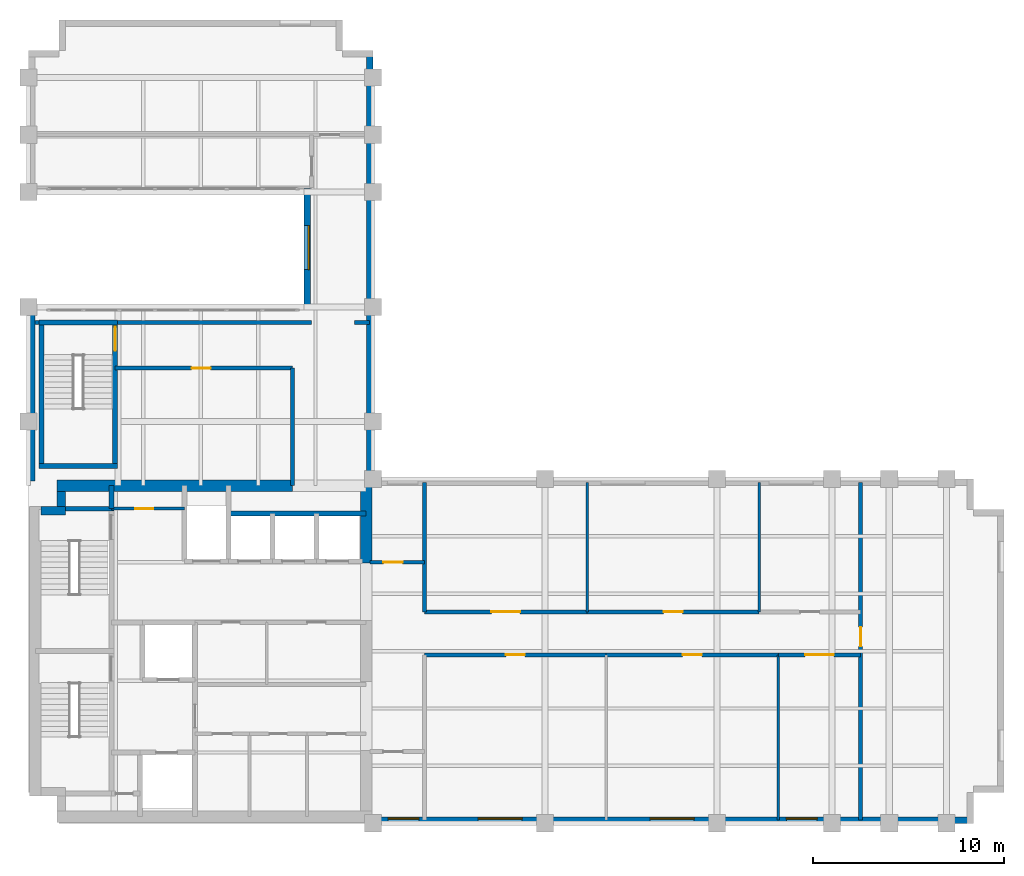
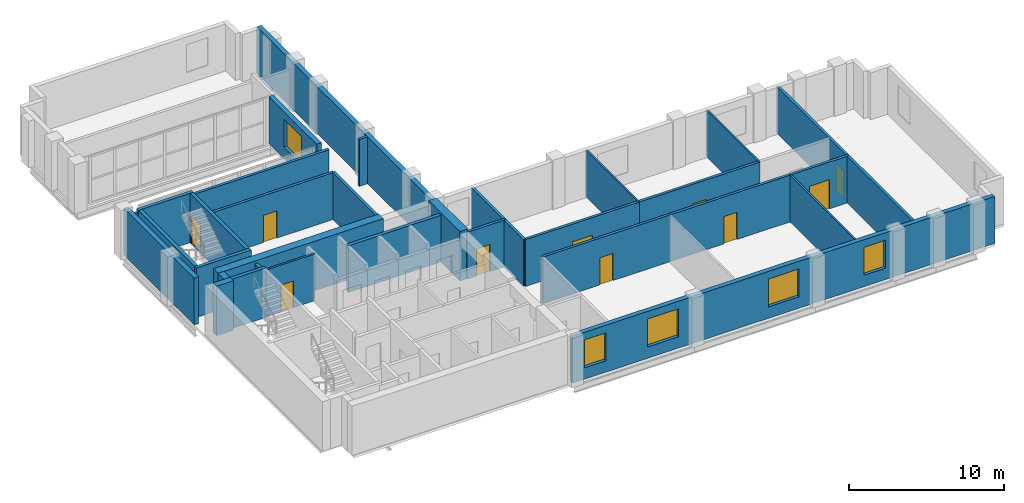
# One storey, part 7 of 9: 32 walls, 10 doors, 5 windows, 15 openings.
"""IFC4 building model written with IfcOpenShell, lengths in metres."""

import ifcopenshell
import ifcopenshell.guid

model = None  # the IFC model being written
_history = None  # IfcOwnerHistory: only IFC2X3 demands one
_inside = {}  # id of a spatial element -> (the spatial element, [elements in it])
_under = {}  # id of a project, library or spatial element -> (it, [spatial elements below it])
_declared = {}  # id of a project -> (the project, [libraries it declares])
_typed = {}  # id of a type object -> (the type object, [elements of that type])
_made_of = {}  # id of a material, layer set ... -> (it, [elements and type objects made of it])


def new_model(schema):
    """Start an empty IFC model of exactly this schema.

    Asked for "IFC4X3", IfcOpenShell would pick the latest addendum, in which some entities
    have other attributes; the version numbers below select the first issue.
    IFC2X3 requires an IfcOwnerHistory on every rooted entity: one is made here for all.
    """
    global model, _history
    if schema == "IFC4X3":
        model = ifcopenshell.file(schema_version=(4, 3, 0, 0))
    else:
        model = ifcopenshell.file(schema=schema)
    _inside.clear()
    _under.clear()
    _declared.clear()
    _typed.clear()
    _made_of.clear()
    _history = None
    if model.schema == "IFC2X3":
        org = make("IfcOrganization", Name="unknown")
        user = make(
            "IfcPersonAndOrganization",
            ThePerson=make("IfcPerson", FamilyName="unknown"),
            TheOrganization=org,
        )
        app = make(
            "IfcApplication",
            ApplicationDeveloper=org,
            Version="unknown",
            ApplicationFullName="unknown",
            ApplicationIdentifier="unknown",
        )
        _history = make(
            "IfcOwnerHistory",
            OwningUser=user,
            OwningApplication=app,
            ChangeAction="ADDED",
            CreationDate=0,
        )
    return model


def make(cls, **values):
    """One entity of the class cls with the attributes given. An attribute that is None is left unset."""
    return model.create_entity(
        cls, **{name: value for name, value in values.items() if value is not None}
    )


def rooted(cls, **values):
    """An entity with a GlobalId (a new one), such as an element, a storey or a relation."""
    return make(cls, GlobalId=ifcopenshell.guid.new(), OwnerHistory=_history, **values)


def si_unit(unit_type, name, prefix=None):
    """IfcSIUnit, for example si_unit("LENGTHUNIT", "METRE", prefix="MILLI")."""
    return make("IfcSIUnit", UnitType=unit_type, Prefix=prefix, Name=name)


def assignment(units):
    """IfcUnitAssignment: the units of a project."""
    return None if units is None else make("IfcUnitAssignment", Units=units)


def point(xyz):
    """IfcCartesianPoint."""
    return None if xyz is None else make("IfcCartesianPoint", Coordinates=xyz)


def direction(xyz):
    """IfcDirection."""
    return None if xyz is None else make("IfcDirection", DirectionRatios=xyz)


def frame(location, z_axis=None, x_axis=None):
    """IfcAxis2Placement3D, a coordinate frame: its origin and axes. An axis left out is left unset."""
    return make(
        "IfcAxis2Placement3D",
        Location=point(location),
        Axis=direction(z_axis),
        RefDirection=direction(x_axis),
    )


def frame_2d(location, x_axis=None):
    """IfcAxis2Placement2D, a coordinate frame in the plane: its origin and x axis."""
    return make(
        "IfcAxis2Placement2D", Location=point(location), RefDirection=direction(x_axis)
    )


def origin():
    """The frame at (0, 0, 0) with its axes left unset."""
    return frame((0.0, 0.0, 0.0))


def place(relative_to, where):
    """IfcLocalPlacement: puts the frame where relative to a parent placement (None: the world)."""
    return make(
        "IfcLocalPlacement", PlacementRelTo=relative_to, RelativePlacement=where
    )


def context(
    kind, dimensions, precision=None, world=None, true_north=None, identifier=None
):
    """IfcGeometricRepresentationContext, for example the 3D "Model" context."""
    return make(
        "IfcGeometricRepresentationContext",
        ContextIdentifier=identifier,
        ContextType=kind,
        CoordinateSpaceDimension=dimensions,
        Precision=precision,
        WorldCoordinateSystem=world,
        TrueNorth=true_north,
    )


def subcontext(parent, identifier, kind, view, scale=None):
    """IfcGeometricRepresentationSubContext, for example "Body" below "Model"."""
    return make(
        "IfcGeometricRepresentationSubContext",
        ContextIdentifier=identifier,
        ContextType=kind,
        ParentContext=parent,
        TargetScale=scale,
        TargetView=view,
    )


def project(units=None, contexts=None):
    """IfcProject with its units and contexts."""
    return rooted(
        "IfcProject",
        Name="project",
        RepresentationContexts=contexts,
        UnitsInContext=assignment(units),
    )


def spatial(cls, under=None, at=None, **own):
    """A site, building, storey or space (cls), placed at a placement, below another one or the project."""
    s = rooted(cls, ObjectPlacement=at, **own)
    if under is not None:
        _under.setdefault(under.id(), (under, []))[1].append(s)
    return s


def profile(cls, at=None, kind="AREA", **sizes):
    """A parametric profile (cls). Its sizes go by their IFC names, for example OverallWidth=200.0."""
    return make(cls, ProfileType=kind, Position=at, **sizes)


def rectangle(**sizes):
    """IfcRectangleProfileDef."""
    return profile("IfcRectangleProfileDef", **sizes)


def extrude(swept, where, along, depth):
    """IfcExtrudedAreaSolid: the profile swept, set in the frame where, extruded along a direction by depth."""
    return make(
        "IfcExtrudedAreaSolid",
        SweptArea=swept,
        Position=where,
        ExtrudedDirection=direction(along),
        Depth=depth,
    )


def shape(context_of_items, identifier, shape_type, items):
    """IfcShapeRepresentation: the items that make up one representation, for example the "Body"."""
    return make(
        "IfcShapeRepresentation",
        ContextOfItems=context_of_items,
        RepresentationIdentifier=identifier,
        RepresentationType=shape_type,
        Items=items,
    )


def material(Name=None, Category=None):
    """IfcMaterial."""
    return make("IfcMaterial", Name=Name, Category=Category)


def layer(
    of_material, thickness, ventilated=None, Name=None, Category=None, Priority=None
):
    """IfcMaterialLayer: one layer of a wall or slab, of a material (None: an air gap)."""
    return make(
        "IfcMaterialLayer",
        Material=of_material,
        LayerThickness=thickness,
        IsVentilated=ventilated,
        Name=Name,
        Category=Category,
        Priority=Priority,
    )


def layer_set(layers, Name=None):
    """IfcMaterialLayerSet."""
    return make("IfcMaterialLayerSet", MaterialLayers=layers, LayerSetName=Name)


def made_of(thing, what):
    """Note that an element or type object is made of a material, layer set ...; save() writes the relation."""
    if what is not None:
        _made_of.setdefault(what.id(), (what, []))[1].append(thing)
    return thing


def type_object(cls, material=None, **own):
    """A type object (cls), such as IfcWallType, which elements share."""
    return made_of(rooted(cls, **own), material)


def element(
    cls,
    number,
    at=None,
    inside=None,
    cuts=None,
    type_object=None,
    material=None,
    context=None,
    identifier="Body",
    shape_type=None,
    held_by="IfcProductDefinitionShape",
    body=None,
    shapes=None,
    **own,
):
    """One element of the class cls, such as IfcWall. Its Tag is "e" and its number.

    at: its placement. inside: the storey or other place that contains it. cuts: it is an
    opening in that element (IfcRelVoidsElement). A single representation is given by context,
    identifier, shape_type and body (its items); several are given by shapes. held_by: the class
    of the entity that holds the representations. save() writes the other relations.
    """
    e = rooted(cls, Tag="e%d" % number, ObjectPlacement=at, **own)
    if body is not None:
        shapes = [shape(context, identifier, shape_type, body)]
    if shapes is not None:
        e.Representation = make(held_by, Representations=shapes)
    if inside is not None:
        _inside.setdefault(inside.id(), (inside, []))[1].append(e)
    if cuts is not None:
        rooted(
            "IfcRelVoidsElement", RelatingBuildingElement=cuts, RelatedOpeningElement=e
        )
    if type_object is not None:
        _typed.setdefault(type_object.id(), (type_object, []))[1].append(e)
    return made_of(e, material)


def fill(opening, filler):
    """IfcRelFillsElement: the door or window that sits in an opening."""
    return rooted(
        "IfcRelFillsElement",
        RelatingOpeningElement=opening,
        RelatedBuildingElement=filler,
    )


def aggregate(whole, parts):
    """IfcRelAggregates: a whole, such as a stair, and the parts it consists of."""
    return rooted("IfcRelAggregates", RelatingObject=whole, RelatedObjects=parts)


def save(model, path):
    """Write the relations noted so far, then the file.

    IfcRelAggregates (storeys below a building ...), IfcRelContainedInSpatialStructure (elements
    in a storey), IfcRelDefinesByType, IfcRelAssociatesMaterial and IfcRelDeclares: one each for
    every whole, place, type object, material and project.
    """
    for whole, parts in _under.values():
        aggregate(whole, parts)
    for where, things in _inside.values():
        rooted(
            "IfcRelContainedInSpatialStructure",
            RelatedElements=things,
            RelatingStructure=where,
        )
    for kind, things in _typed.values():
        rooted("IfcRelDefinesByType", RelatedObjects=things, RelatingType=kind)
    for what, things in _made_of.values():
        rooted("IfcRelAssociatesMaterial", RelatedObjects=things, RelatingMaterial=what)
    for by, libraries in _declared.values():
        rooted("IfcRelDeclares", RelatingContext=by, RelatedDefinitions=libraries)
    model.write(path)


model = new_model("IFC4")

# Units and contexts
model_context = context("Model", 3, precision=1e-05, world=origin(), true_north=direction((0.0, 1.0)))
body_context = subcontext(model_context, "Body", "Model", "MODEL_VIEW")
ifc_project = project(units=[si_unit("LENGTHUNIT", "METRE"), si_unit("AREAUNIT", "SQUARE_METRE"), si_unit("VOLUMEUNIT", "CUBIC_METRE"), si_unit("PLANEANGLEUNIT", "RADIAN"), si_unit("MASSUNIT", "GRAM", prefix="KILO")], contexts=[model_context])

# Site, building, storey
site_placement = place(None, origin())
site = spatial("IfcSite", under=ifc_project, at=site_placement, CompositionType="ELEMENT")
building_placement = place(site_placement, origin())
building = spatial("IfcBuilding", under=site, at=building_placement, Name="Mawjdan Bourse Tower", CompositionType="ELEMENT")
storey_placement = place(building_placement, frame((0.0, 0.0, 195.60009765625)))
storey = spatial("IfcBuildingStorey", under=building, at=storey_placement, Name="L47", CompositionType="ELEMENT", Elevation=195.60009765625)

# Wall, openings, windows
ifc_material_1 = material(Name="Brick Masonry Buff", Category="masonry")
ifc_layer_1 = layer(ifc_material_1, 0.340087890625)
ifc_layer_set_1 = layer_set([ifc_layer_1], Name="Brick Masonry Buff")
wall_type_1 = type_object("IfcWallType", Name="WL-BRK-SPN-340", PredefinedType="STANDARD", material=ifc_layer_set_1)
wall_1_placement = place(storey_placement, frame((23.89990234375, 3.169921875, 0.0), z_axis=(0.0, 0.0, 1.0), x_axis=(1.0, 0.0, 0.0)))
wall_1 = element("IfcWall", 1, at=wall_1_placement, inside=storey, type_object=wall_type_1, Name="L47 Exterior Brick Wall 1", PredefinedType="STANDARD", context=body_context, shape_type="SweptSolid", body=[
    extrude(rectangle(XDim=31.5, YDim=0.340087890625, at=frame_2d((15.75, 0.0))), origin(), (0.0, 0.0, 1.0), 3.699951171875),
])
opening_1_placement = place(wall_1_placement, frame((5.60009765625, 0.0, 0.89990234375)))
opening_1 = element("IfcOpeningElement", 2, at=opening_1_placement, cuts=wall_1, Name="Opening W-L47-01", PredefinedType="OPENING", context=body_context, shape_type="SweptSolid", body=[
    extrude(rectangle(XDim=2.300048828125, YDim=2.199951171875, at=frame_2d((1.14990234375, 1.10009765625))), frame((0.0, 0.18017578125, 0.0), z_axis=(0.0, -1.0, 0.0), x_axis=(1.0, 0.0, 0.0)), (0.0, 0.0, 1.0), 0.360107421875),
])
opening_2_placement = place(wall_1_placement, frame((14.60009765625, 0.0, 0.89990234375)))
opening_2 = element("IfcOpeningElement", 3, at=opening_2_placement, cuts=wall_1, Name="Opening W-L47-02", PredefinedType="OPENING", context=body_context, shape_type="SweptSolid", body=[
    extrude(rectangle(XDim=2.300048828125, YDim=2.199951171875, at=frame_2d((1.14990234375, 1.10009765625))), frame((0.0, 0.18017578125, 0.0), z_axis=(0.0, -1.0, 0.0), x_axis=(1.0, 0.0, 0.0)), (0.0, 0.0, 1.0), 0.360107421875),
])
opening_3_placement = place(wall_1_placement, frame((0.89990234375, 0.0, 0.89990234375)))
opening_3 = element("IfcOpeningElement", 4, at=opening_3_placement, cuts=wall_1, Name="Opening W-L47-08", PredefinedType="OPENING", context=body_context, shape_type="SweptSolid", body=[
    extrude(rectangle(XDim=1.60009765625, YDim=2.199951171875, at=frame_2d((0.800048828125, 1.10009765625))), frame((0.0, 0.18017578125, 0.0), z_axis=(0.0, -1.0, 0.0), x_axis=(1.0, 0.0, 0.0)), (0.0, 0.0, 1.0), 0.360107421875),
])
opening_4_placement = place(wall_1_placement, frame((21.724853515625, 0.0, 0.89990234375)))
opening_4 = element("IfcOpeningElement", 5, at=opening_4_placement, cuts=wall_1, Name="Opening W-L47-10", PredefinedType="OPENING", context=body_context, shape_type="SweptSolid", body=[
    extrude(rectangle(XDim=1.60009765625, YDim=2.199951171875, at=frame_2d((0.800048828125, 1.10009765625))), frame((0.0, 0.18017578125, 0.0), z_axis=(0.0, -1.0, 0.0), x_axis=(1.0, 0.0, 0.0)), (0.0, 0.0, 1.0), 0.360107421875),
])
ifc_material_2 = material(Name="Solar-Control Clear Double Glazing", Category="glass")
window_type_1 = type_object("IfcWindowType", Name="WN-Z3-1600", PartitioningType="SINGLE_PANEL", PredefinedType="WINDOW", material=ifc_material_2)
window_1_placement = place(opening_3_placement, origin())
window_1 = element("IfcWindow", 6, at=window_1_placement, inside=storey, type_object=window_type_1, Name="L47 Deep-Set Masonry Window W-L47-08", OverallHeight=2.199951171875, OverallWidth=1.60009765625, PartitioningType="SINGLE_PANEL", PredefinedType="WINDOW", context=body_context, shape_type="SweptSolid", body=[
    extrude(rectangle(XDim=1.60009765625, YDim=2.199951171875, at=frame_2d((0.800048828125, 1.10009765625))), frame((0.0, 0.110107421875, 0.0), z_axis=(0.0, -1.0, 0.0), x_axis=(1.0, 0.0, 0.0)), (0.0, 0.0, 1.0), 0.06005859375),
])
fill(opening_3, window_1)
window_2_placement = place(opening_4_placement, origin())
window_2 = element("IfcWindow", 7, at=window_2_placement, inside=storey, type_object=window_type_1, Name="L47 Deep-Set Masonry Window W-L47-10", OverallHeight=2.199951171875, OverallWidth=1.60009765625, PartitioningType="SINGLE_PANEL", PredefinedType="WINDOW", context=body_context, shape_type="SweptSolid", body=[
    extrude(rectangle(XDim=1.60009765625, YDim=2.199951171875, at=frame_2d((0.800048828125, 1.10009765625))), frame((0.0, 0.110107421875, 0.0), z_axis=(0.0, -1.0, 0.0), x_axis=(1.0, 0.0, 0.0)), (0.0, 0.0, 1.0), 0.06005859375),
])
fill(opening_4, window_2)
window_type_2 = type_object("IfcWindowType", Name="WN-Z3-2300", PartitioningType="SINGLE_PANEL", PredefinedType="WINDOW", material=ifc_material_2)
window_3_placement = place(opening_1_placement, origin())
window_3 = element("IfcWindow", 8, at=window_3_placement, inside=storey, type_object=window_type_2, Name="L47 Deep-Set Masonry Window W-L47-01", OverallHeight=2.199951171875, OverallWidth=2.300048828125, PartitioningType="SINGLE_PANEL", PredefinedType="WINDOW", context=body_context, shape_type="SweptSolid", body=[
    extrude(rectangle(XDim=2.300048828125, YDim=2.199951171875, at=frame_2d((1.14990234375, 1.10009765625))), frame((0.0, 0.110107421875, 0.0), z_axis=(0.0, -1.0, 0.0), x_axis=(1.0, 0.0, 0.0)), (0.0, 0.0, 1.0), 0.06005859375),
])
fill(opening_1, window_3)
window_4_placement = place(opening_2_placement, origin())
window_4 = element("IfcWindow", 9, at=window_4_placement, inside=storey, type_object=window_type_2, Name="L47 Deep-Set Masonry Window W-L47-02", OverallHeight=2.199951171875, OverallWidth=2.300048828125, PartitioningType="SINGLE_PANEL", PredefinedType="WINDOW", context=body_context, shape_type="SweptSolid", body=[
    extrude(rectangle(XDim=2.300048828125, YDim=2.199951171875, at=frame_2d((1.14990234375, 1.10009765625))), frame((0.0, 0.110107421875, 0.0), z_axis=(0.0, -1.0, 0.0), x_axis=(1.0, 0.0, 0.0)), (0.0, 0.0, 1.0), 0.06005859375),
])
fill(opening_2, window_4)

# Wall
wall_2_placement = place(storey_placement, frame((23.830078125, 21.0, 0.0), z_axis=(0.0, 0.0, 1.0), x_axis=(0.0, 1.0, 0.0)))
element("IfcWall", 10, at=wall_2_placement, inside=storey, type_object=wall_type_1, Name="L47 Exterior Brick Wall 8", PredefinedType="STANDARD", context=body_context, shape_type="SweptSolid", body=[
    extrude(rectangle(XDim=22.39990234375, YDim=0.340087890625, at=frame_2d((11.199951171875, 0.0))), origin(), (0.0, 0.0, 1.0), 3.699951171875),
])

# Wall, opening, window
wall_3_placement = place(storey_placement, frame((20.570068359375, 36.199951171875, 0.0), z_axis=(0.0, 0.0, 1.0), x_axis=(0.0, -1.0, 0.0)))
wall_3 = element("IfcWall", 11, at=wall_3_placement, inside=storey, type_object=wall_type_1, Name="L47 Exterior Brick Wall 16", PredefinedType="STANDARD", context=body_context, shape_type="SweptSolid", body=[
    extrude(rectangle(XDim=6.199951171875, YDim=0.340087890625, at=frame_2d((3.10009765625, 0.0))), origin(), (0.0, 0.0, 1.0), 3.699951171875),
])
opening_5_placement = place(wall_3_placement, frame((1.949951171875, 0.0, 0.89990234375)))
opening_5 = element("IfcOpeningElement", 12, at=opening_5_placement, cuts=wall_3, Name="Opening W-L47-07", PredefinedType="OPENING", context=body_context, shape_type="SweptSolid", body=[
    extrude(rectangle(XDim=2.300048828125, YDim=2.199951171875, at=frame_2d((1.14990234375, 1.10009765625))), frame((0.0, 0.18017578125, 0.0), z_axis=(0.0, -1.0, 0.0), x_axis=(1.0, 0.0, 0.0)), (0.0, 0.0, 1.0), 0.360107421875),
])
window_5_placement = place(opening_5_placement, origin())
window_5 = element("IfcWindow", 13, at=window_5_placement, inside=storey, type_object=window_type_2, Name="L47 Deep-Set Masonry Window W-L47-07", OverallHeight=2.199951171875, OverallWidth=2.300048828125, PartitioningType="SINGLE_PANEL", PredefinedType="WINDOW", context=body_context, shape_type="SweptSolid", body=[
    extrude(rectangle(XDim=2.300048828125, YDim=2.199951171875, at=frame_2d((1.14990234375, 1.10009765625))), frame((0.0, 0.110107421875, 0.0), z_axis=(0.0, -1.0, 0.0), x_axis=(1.0, 0.0, 0.0)), (0.0, 0.0, 1.0), 0.06005859375),
])
fill(opening_5, window_5)

# Wall
wall_4_placement = place(storey_placement, frame((6.169921875, 30.0, 0.0), z_axis=(0.0, 0.0, 1.0), x_axis=(0.0, -1.0, 0.0)))
element("IfcWall", 14, at=wall_4_placement, inside=storey, type_object=wall_type_1, Name="L47 Exterior Brick Wall 18", PredefinedType="STANDARD", context=body_context, shape_type="SweptSolid", body=[
    extrude(rectangle(XDim=9.10009765625, YDim=0.340087890625, at=frame_2d((4.550048828125, 0.0))), origin(), (0.0, 0.0, 1.0), 3.699951171875),
])

# Wall, opening, door
ifc_material_3 = material(Name="Gypsum Fireboard Assembly")
ifc_layer_2 = layer(ifc_material_3, 0.199951171875)
ifc_layer_set_2 = layer_set([ifc_layer_2], Name="Gypsum Fireboard Assembly")
wall_type_2 = type_object("IfcWallType", Name="WL-CMP-200", PredefinedType="PARTITIONING", material=ifc_layer_set_2)
wall_5_placement = place(storey_placement, frame((23.85009765625, 16.64990234375, 0.0), z_axis=(0.0, 0.0, 1.0), x_axis=(1.0, 0.0, 0.0)))
wall_5 = element("IfcWall", 15, at=wall_5_placement, inside=storey, type_object=wall_type_2, Name="L47 West North Pocket Wall", PredefinedType="PARTITIONING", context=body_context, shape_type="SweptSolid", body=[
    extrude(rectangle(XDim=2.849853515625, YDim=0.199951171875, at=frame_2d((1.4248046875, 0.0))), origin(), (0.0, 0.0, 1.0), 3.68994140625),
])
opening_6_placement = place(wall_5_placement, frame((0.699951171875, 0.0, 0.0)))
opening_6 = element("IfcOpeningElement", 16, at=opening_6_placement, cuts=wall_5, Name="Opening D-L47-21", PredefinedType="OPENING", context=body_context, shape_type="SweptSolid", body=[
    extrude(rectangle(XDim=1.0, YDim=2.14990234375, at=frame_2d((0.5, 1.074951171875))), frame((0.0, 0.10986328125, 0.0), z_axis=(0.0, -1.0, 0.0), x_axis=(1.0, 0.0, 0.0)), (0.0, 0.0, 1.0), 0.219970703125),
])
ifc_material_4 = material(Name="Hardwood Acoustic Leaf", Category="wood")
door_type_1 = type_object("IfcDoorType", Name="DR-OFC-1000", OperationType="NOTDEFINED", PredefinedType="DOOR", material=ifc_material_4)
door_1_placement = place(opening_6_placement, origin())
door_1 = element("IfcDoor", 17, at=door_1_placement, inside=storey, type_object=door_type_1, Name="L47 West North Pocket Door D-L47-21", OperationType="SINGLE_SWING_RIGHT", OverallHeight=2.14990234375, OverallWidth=1.0, PredefinedType="DOOR", context=body_context, shape_type="SweptSolid", body=[
    extrude(rectangle(XDim=1.0, YDim=2.14990234375, at=frame_2d((0.5, 1.074951171875))), frame((0.0, 0.02490234375, 0.0), z_axis=(0.0, -1.0, 0.0), x_axis=(1.0, 0.0, 0.0)), (0.0, 0.0, 1.0), 0.050048828125),
])
fill(opening_6, door_1)

# Wall
wall_6_placement = place(storey_placement, frame((26.699951171875, 14.050048828125, 0.0), z_axis=(0.0, 0.0, 1.0), x_axis=(0.0, 1.0, 0.0)))
element("IfcWall", 18, at=wall_6_placement, inside=storey, type_object=wall_type_2, Name="L47 Vestibule North East Wall", PredefinedType="PARTITIONING", context=body_context, shape_type="SweptSolid", body=[
    extrude(rectangle(XDim=6.77001953125, YDim=0.199951171875, at=frame_2d((3.385009765625, 0.0))), origin(), (0.0, 0.0, 1.0), 3.68994140625),
])

# Wall, opening, door
wall_7_placement = place(storey_placement, frame((26.699951171875, 11.800048828125, 0.0), z_axis=(0.0, 0.0, 1.0), x_axis=(1.0, 0.0, 0.0)))
wall_7 = element("IfcWall", 19, at=wall_7_placement, inside=storey, type_object=wall_type_2, Name="L47 North Portal Observatory Lounge Corridor Wall", PredefinedType="PARTITIONING", context=body_context, shape_type="SweptSolid", body=[
    extrude(rectangle(XDim=9.5, YDim=0.199951171875, at=frame_2d((4.75, 0.0))), origin(), (0.0, 0.0, 1.0), 3.68994140625),
])
opening_7_placement = place(wall_7_placement, frame((4.25, 0.0, 0.0)))
opening_7 = element("IfcOpeningElement", 20, at=opening_7_placement, cuts=wall_7, Name="Opening D-L47-22", PredefinedType="OPENING", context=body_context, shape_type="SweptSolid", body=[
    extrude(rectangle(XDim=1.0, YDim=2.14990234375, at=frame_2d((0.5, 1.074951171875))), frame((0.0, 0.10986328125, 0.0), z_axis=(0.0, -1.0, 0.0), x_axis=(1.0, 0.0, 0.0)), (0.0, 0.0, 1.0), 0.219970703125),
])
door_2_placement = place(opening_7_placement, origin())
door_2 = element("IfcDoor", 21, at=door_2_placement, inside=storey, type_object=door_type_1, Name="L47 North Portal Observatory Lounge Door D-L47-22", OperationType="SINGLE_SWING_LEFT", OverallHeight=2.14990234375, OverallWidth=1.0, PredefinedType="DOOR", context=body_context, shape_type="SweptSolid", body=[
    extrude(rectangle(XDim=1.0, YDim=2.14990234375, at=frame_2d((0.5, 1.074951171875))), frame((0.0, 0.02490234375, 0.0), z_axis=(0.0, -1.0, 0.0), x_axis=(1.0, 0.0, 0.0)), (0.0, 0.0, 1.0), 0.050048828125),
])
fill(opening_7, door_2)

wall_8_placement = place(storey_placement, frame((36.199951171875, 11.800048828125, 0.0), z_axis=(0.0, 0.0, 1.0), x_axis=(1.0, 0.0, 0.0)))
wall_8 = element("IfcWall", 22, at=wall_8_placement, inside=storey, type_object=wall_type_2, Name="L47 Executive Office Corridor Wall", PredefinedType="PARTITIONING", context=body_context, shape_type="SweptSolid", body=[
    extrude(rectangle(XDim=9.0, YDim=0.199951171875, at=frame_2d((4.5, 0.0))), origin(), (0.0, 0.0, 1.0), 3.68994140625),
])
opening_8_placement = place(wall_8_placement, frame((4.0, 0.0, 0.0)))
opening_8 = element("IfcOpeningElement", 23, at=opening_8_placement, cuts=wall_8, Name="Opening D-L47-23", PredefinedType="OPENING", context=body_context, shape_type="SweptSolid", body=[
    extrude(rectangle(XDim=1.0, YDim=2.14990234375, at=frame_2d((0.5, 1.074951171875))), frame((0.0, 0.10986328125, 0.0), z_axis=(0.0, -1.0, 0.0), x_axis=(1.0, 0.0, 0.0)), (0.0, 0.0, 1.0), 0.219970703125),
])
door_3_placement = place(opening_8_placement, origin())
door_3 = element("IfcDoor", 24, at=door_3_placement, inside=storey, type_object=door_type_1, Name="L47 Executive Office Door D-L47-23", OperationType="SINGLE_SWING_RIGHT", OverallHeight=2.14990234375, OverallWidth=1.0, PredefinedType="DOOR", context=body_context, shape_type="SweptSolid", body=[
    extrude(rectangle(XDim=1.0, YDim=2.14990234375, at=frame_2d((0.5, 1.074951171875))), frame((0.0, 0.02490234375, 0.0), z_axis=(0.0, -1.0, 0.0), x_axis=(1.0, 0.0, 0.0)), (0.0, 0.0, 1.0), 0.050048828125),
])
fill(opening_8, door_3)

wall_9_placement = place(storey_placement, frame((45.199951171875, 11.800048828125, 0.0), z_axis=(0.0, 0.0, 1.0), x_axis=(1.0, 0.0, 0.0)))
wall_9 = element("IfcWall", 25, at=wall_9_placement, inside=storey, type_object=wall_type_2, Name="L47 Conference Room Corridor Wall", PredefinedType="PARTITIONING", context=body_context, shape_type="SweptSolid", body=[
    extrude(rectangle(XDim=4.300048828125, YDim=0.199951171875, at=frame_2d((2.14990234375, 0.0))), origin(), (0.0, 0.0, 1.0), 3.68994140625),
])
opening_9_placement = place(wall_9_placement, frame((1.39990234375, 0.0, 0.0)))
opening_9 = element("IfcOpeningElement", 26, at=opening_9_placement, cuts=wall_9, Name="Opening D-L47-24", PredefinedType="OPENING", context=body_context, shape_type="SweptSolid", body=[
    extrude(rectangle(XDim=1.5, YDim=2.300048828125, at=frame_2d((0.75, 1.14990234375))), frame((0.0, 0.10986328125, 0.0), z_axis=(0.0, -1.0, 0.0), x_axis=(1.0, 0.0, 0.0)), (0.0, 0.0, 1.0), 0.219970703125),
])
ifc_material_5 = material(Name="Acoustic Glazed Timber", Category="wood")
door_type_2 = type_object("IfcDoorType", Name="DR-CNF-1500", OperationType="DOUBLE_DOOR_SINGLE_SWING", PredefinedType="DOOR", material=ifc_material_5)
door_4_placement = place(opening_9_placement, origin())
door_4 = element("IfcDoor", 27, at=door_4_placement, inside=storey, type_object=door_type_2, Name="L47 Conference Room Door D-L47-24", OperationType="DOUBLE_DOOR_SINGLE_SWING", OverallHeight=2.300048828125, OverallWidth=1.5, PredefinedType="DOOR", context=body_context, shape_type="SweptSolid", body=[
    extrude(rectangle(XDim=1.5, YDim=2.300048828125, at=frame_2d((0.75, 1.14990234375))), frame((0.0, 0.02490234375, 0.0), z_axis=(0.0, -1.0, 0.0), x_axis=(1.0, 0.0, 0.0)), (0.0, 0.0, 1.0), 0.050048828125),
])
fill(opening_9, door_4)

wall_10_placement = place(storey_placement, frame((26.699951171875, 14.050048828125, 0.0), z_axis=(0.0, 0.0, 1.0), x_axis=(1.0, 0.0, 0.0)))
wall_10 = element("IfcWall", 28, at=wall_10_placement, inside=storey, type_object=wall_type_2, Name="L47 Conference Room Corridor Wall", PredefinedType="PARTITIONING", context=body_context, shape_type="SweptSolid", body=[
    extrude(rectangle(XDim=8.5, YDim=0.199951171875, at=frame_2d((4.25, 0.0))), origin(), (0.0, 0.0, 1.0), 3.68994140625),
])
opening_10_placement = place(wall_10_placement, frame((3.5, 0.0, 0.0)))
opening_10 = element("IfcOpeningElement", 29, at=opening_10_placement, cuts=wall_10, Name="Opening D-L47-25", PredefinedType="OPENING", context=body_context, shape_type="SweptSolid", body=[
    extrude(rectangle(XDim=1.5, YDim=2.300048828125, at=frame_2d((0.75, 1.14990234375))), frame((0.0, 0.10986328125, 0.0), z_axis=(0.0, -1.0, 0.0), x_axis=(1.0, 0.0, 0.0)), (0.0, 0.0, 1.0), 0.219970703125),
])
door_5_placement = place(opening_10_placement, origin())
door_5 = element("IfcDoor", 30, at=door_5_placement, inside=storey, type_object=door_type_2, Name="L47 Conference Room Door D-L47-25", OperationType="DOUBLE_DOOR_SINGLE_SWING", OverallHeight=2.300048828125, OverallWidth=1.5, PredefinedType="DOOR", context=body_context, shape_type="SweptSolid", body=[
    extrude(rectangle(XDim=1.5, YDim=2.300048828125, at=frame_2d((0.75, 1.14990234375))), frame((0.0, 0.02490234375, 0.0), z_axis=(0.0, -1.0, 0.0), x_axis=(1.0, 0.0, 0.0)), (0.0, 0.0, 1.0), 0.050048828125),
])
fill(opening_10, door_5)

wall_11_placement = place(storey_placement, frame((35.199951171875, 14.050048828125, 0.0), z_axis=(0.0, 0.0, 1.0), x_axis=(1.0, 0.0, 0.0)))
wall_11 = element("IfcWall", 31, at=wall_11_placement, inside=storey, type_object=wall_type_2, Name="L47 Sovereign Advisory Suite Corridor Wall", PredefinedType="PARTITIONING", context=body_context, shape_type="SweptSolid", body=[
    extrude(rectangle(XDim=9.0, YDim=0.199951171875, at=frame_2d((4.5, 0.0))), origin(), (0.0, 0.0, 1.0), 3.68994140625),
])
opening_11_placement = place(wall_11_placement, frame((4.0, 0.0, 0.0)))
opening_11 = element("IfcOpeningElement", 32, at=opening_11_placement, cuts=wall_11, Name="Opening D-L47-26", PredefinedType="OPENING", context=body_context, shape_type="SweptSolid", body=[
    extrude(rectangle(XDim=1.0, YDim=2.14990234375, at=frame_2d((0.5, 1.074951171875))), frame((0.0, 0.10986328125, 0.0), z_axis=(0.0, -1.0, 0.0), x_axis=(1.0, 0.0, 0.0)), (0.0, 0.0, 1.0), 0.219970703125),
])
door_6_placement = place(opening_11_placement, origin())
door_6 = element("IfcDoor", 33, at=door_6_placement, inside=storey, type_object=door_type_1, Name="L47 Sovereign Advisory Suite Door D-L47-26", OperationType="SINGLE_SWING_LEFT", OverallHeight=2.14990234375, OverallWidth=1.0, PredefinedType="DOOR", context=body_context, shape_type="SweptSolid", body=[
    extrude(rectangle(XDim=1.0, YDim=2.14990234375, at=frame_2d((0.5, 1.074951171875))), frame((0.0, 0.02490234375, 0.0), z_axis=(0.0, -1.0, 0.0), x_axis=(1.0, 0.0, 0.0)), (0.0, 0.0, 1.0), 0.050048828125),
])
fill(opening_11, door_6)

wall_12_placement = place(storey_placement, frame((49.5, 3.179931640625, 0.0), z_axis=(0.0, 0.0, 1.0), x_axis=(0.0, 1.0, 0.0)))
wall_12 = element("IfcWall", 34, at=wall_12_placement, inside=storey, type_object=wall_type_2, Name="L47 East Tip Full Cross Wall", PredefinedType="PARTITIONING", context=body_context, shape_type="SweptSolid", body=[
    extrude(rectangle(XDim=17.64013671875, YDim=0.199951171875, at=frame_2d((8.820068359375, 0.0))), origin(), (0.0, 0.0, 1.0), 3.68994140625),
])
opening_12_placement = place(wall_12_placement, frame((9.074951171875, 0.0, 0.0)))
opening_12 = element("IfcOpeningElement", 35, at=opening_12_placement, cuts=wall_12, Name="Opening D-L47-28", PredefinedType="OPENING", context=body_context, shape_type="SweptSolid", body=[
    extrude(rectangle(XDim=1.0, YDim=2.14990234375, at=frame_2d((0.5, 1.074951171875))), frame((0.0, 0.10986328125, 0.0), z_axis=(0.0, -1.0, 0.0), x_axis=(1.0, 0.0, 0.0)), (0.0, 0.0, 1.0), 0.219970703125),
])
door_7_placement = place(opening_12_placement, origin())
door_7 = element("IfcDoor", 36, at=door_7_placement, inside=storey, type_object=door_type_1, Name="L47 East Tip Hall Door D-L47-28", OperationType="SINGLE_SWING_LEFT", OverallHeight=2.14990234375, OverallWidth=1.0, PredefinedType="DOOR", context=body_context, shape_type="SweptSolid", body=[
    extrude(rectangle(XDim=1.0, YDim=2.14990234375, at=frame_2d((0.5, 1.074951171875))), frame((0.0, 0.02490234375, 0.0), z_axis=(0.0, -1.0, 0.0), x_axis=(1.0, 0.0, 0.0)), (0.0, 0.0, 1.0), 0.050048828125),
])
fill(opening_12, door_7)

wall_13_placement = place(storey_placement, frame((10.52001953125, 26.800048828125, 0.0), z_axis=(0.0, 0.0, 1.0), x_axis=(1.0, 0.0, 0.0)))
wall_13 = element("IfcWall", 37, at=wall_13_placement, inside=storey, type_object=wall_type_2, Name="L47 North Throat North Wall", PredefinedType="PARTITIONING", context=body_context, shape_type="SweptSolid", body=[
    extrude(rectangle(XDim=9.280029296875, YDim=0.199951171875, at=frame_2d((4.64013671875, 0.0))), origin(), (0.0, 0.0, 1.0), 3.68994140625),
])
opening_13_placement = place(wall_13_placement, frame((4.0, 0.0, 0.0)))
opening_13 = element("IfcOpeningElement", 38, at=opening_13_placement, cuts=wall_13, Name="Opening D-L47-29", PredefinedType="OPENING", context=body_context, shape_type="SweptSolid", body=[
    extrude(rectangle(XDim=1.0, YDim=2.14990234375, at=frame_2d((0.5, 1.074951171875))), frame((0.0, 0.10986328125, 0.0), z_axis=(0.0, -1.0, 0.0), x_axis=(1.0, 0.0, 0.0)), (0.0, 0.0, 1.0), 0.219970703125),
])
door_8_placement = place(opening_13_placement, origin())
door_8 = element("IfcDoor", 39, at=door_8_placement, inside=storey, type_object=door_type_1, Name="L47 North Throat Suite Door D-L47-29", OperationType="SINGLE_SWING_RIGHT", OverallHeight=2.14990234375, OverallWidth=1.0, PredefinedType="DOOR", context=body_context, shape_type="SweptSolid", body=[
    extrude(rectangle(XDim=1.0, YDim=2.14990234375, at=frame_2d((0.5, 1.074951171875))), frame((0.0, 0.02490234375, 0.0), z_axis=(0.0, -1.0, 0.0), x_axis=(1.0, 0.0, 0.0)), (0.0, 0.0, 1.0), 0.050048828125),
])
fill(opening_13, door_8)

# Walls
wall_14_placement = place(storey_placement, frame((19.800048828125, 20.64990234375, 0.0), z_axis=(0.0, 0.0, 1.0), x_axis=(0.0, 1.0, 0.0)))
element("IfcWall", 40, at=wall_14_placement, inside=storey, type_object=wall_type_2, Name="L47 North Throat East Wall", PredefinedType="PARTITIONING", context=body_context, shape_type="SweptSolid", body=[
    extrude(rectangle(XDim=6.150146484375, YDim=0.199951171875, at=frame_2d((3.0751953125, 0.0))), origin(), (0.0, 0.0, 1.0), 3.68994140625),
])
wall_15_placement = place(storey_placement, frame((6.340087890625, 29.179931640625, 0.0), z_axis=(0.0, 0.0, 1.0), x_axis=(1.0, 0.0, 0.0)))
element("IfcWall", 41, at=wall_15_placement, inside=storey, type_object=wall_type_2, Name="L47 North West Band ST3 West Return", PredefinedType="PARTITIONING", context=body_context, shape_type="SweptSolid", body=[
    extrude(rectangle(XDim=0.21484375, YDim=0.199951171875, at=frame_2d((0.107421875, 0.0))), origin(), (0.0, 0.0, 1.0), 3.68994140625),
])
wall_16_placement = place(storey_placement, frame((10.6298828125, 29.179931640625, 0.0), z_axis=(0.0, 0.0, 1.0), x_axis=(1.0, 0.0, 0.0)))
element("IfcWall", 42, at=wall_16_placement, inside=storey, type_object=wall_type_2, Name="L47 North West Band South Wall", PredefinedType="PARTITIONING", context=body_context, shape_type="SweptSolid", body=[
    extrude(rectangle(XDim=10.170166015625, YDim=0.199951171875, at=frame_2d((5.0849609375, 0.0))), origin(), (0.0, 0.0, 1.0), 3.68994140625),
])
wall_17_placement = place(storey_placement, frame((23.050048828125, 29.179931640625, 0.0), z_axis=(0.0, 0.0, 1.0), x_axis=(1.0, 0.0, 0.0)))
element("IfcWall", 43, at=wall_17_placement, inside=storey, type_object=wall_type_2, Name="L47 North East Band South Wall", PredefinedType="PARTITIONING", context=body_context, shape_type="SweptSolid", body=[
    extrude(rectangle(XDim=0.77001953125, YDim=0.199951171875, at=frame_2d((0.385009765625, 0.0))), origin(), (0.0, 0.0, 1.0), 3.68994140625),
])
ifc_material_6 = material(Name="Concrete C60/75", Category="concrete")
ifc_layer_3 = layer(ifc_material_6, 0.449951171875)
ifc_layer_set_3 = layer_set([ifc_layer_3], Name="Concrete C60/75")
wall_type_3 = type_object("IfcWallType", Name="WL-CORE-450", PredefinedType="SHEAR", material=ifc_layer_set_3)
wall_18_placement = place(storey_placement, frame((6.64990234375, 19.35009765625, 0.0), z_axis=(0.0, 0.0, 1.0), x_axis=(1.0, 0.0, 0.0)))
element("IfcWall", 44, at=wall_18_placement, inside=storey, type_object=wall_type_3, Name="L47 Rear Core Shear Wall NW-X", PredefinedType="SHEAR", context=body_context, shape_type="SweptSolid", body=[
    extrude(rectangle(XDim=1.275146484375, YDim=0.449951171875, at=frame_2d((0.6376953125, 0.0))), origin(), (0.0, 0.0, 1.0), 3.89990234375),
])
wall_19_placement = place(storey_placement, frame((7.699951171875, 19.574951171875, 0.0), z_axis=(0.0, 0.0, 1.0), x_axis=(0.0, 1.0, 0.0)))
element("IfcWall", 45, at=wall_19_placement, inside=storey, type_object=wall_type_3, Name="L47 Rear Core Shear Wall NW-Y", PredefinedType="SHEAR", context=body_context, shape_type="SweptSolid", body=[
    extrude(rectangle(XDim=0.775146484375, YDim=0.449951171875, at=frame_2d((0.3876953125, 0.0))), origin(), (0.0, 0.0, 1.0), 3.89990234375),
])
ifc_material_7 = material(Name="Concrete C70/85", Category="concrete")
ifc_layer_4 = layer(ifc_material_7, 0.60009765625)
ifc_layer_set_4 = layer_set([ifc_layer_4], Name="Concrete C70/85")
wall_type_4 = type_object("IfcWallType", Name="WL-CORE-600", PredefinedType="SHEAR", material=ifc_layer_set_4)
wall_20_placement = place(storey_placement, frame((7.47509765625, 20.64990234375, 0.0), z_axis=(0.0, 0.0, 1.0), x_axis=(1.0, 0.0, 0.0)))
element("IfcWall", 46, at=wall_20_placement, inside=storey, type_object=wall_type_4, Name="L47 Rear Core Shear Wall N", PredefinedType="SHEAR", context=body_context, shape_type="SweptSolid", body=[
    extrude(rectangle(XDim=12.324951171875, YDim=0.60009765625, at=frame_2d((6.16259765625, 0.0))), origin(), (0.0, 0.0, 1.0), 3.89990234375),
])
wall_21_placement = place(storey_placement, frame((23.64990234375, 16.60009765625, 0.0), z_axis=(0.0, 0.0, 1.0), x_axis=(0.0, 1.0, 0.0)))
element("IfcWall", 47, at=wall_21_placement, inside=storey, type_object=wall_type_4, Name="L47 Rear Core Shear Wall E3", PredefinedType="SHEAR", context=body_context, shape_type="SweptSolid", body=[
    extrude(rectangle(XDim=4.0498046875, YDim=0.60009765625, at=frame_2d((2.02490234375, 0.0))), origin(), (0.0, 0.0, 1.0), 3.89990234375),
])
ifc_material_8 = material(Name="Gypsum Partition")
ifc_layer_5 = layer(ifc_material_8, 0.125)
ifc_layer_set_5 = layer_set([ifc_layer_5], Name="Gypsum Partition")
wall_type_5 = type_object("IfcWallType", Name="WL-PRT-125", PredefinedType="PARTITIONING", material=ifc_layer_set_5)
wall_22_placement = place(storey_placement, frame((45.199951171875, 3.179931640625, 0.0), z_axis=(0.0, 0.0, 1.0), x_axis=(0.0, 1.0, 0.0)))
element("IfcWall", 48, at=wall_22_placement, inside=storey, type_object=wall_type_5, Name="L47 Conference Room Partition", PredefinedType="PARTITIONING", context=body_context, shape_type="SweptSolid", body=[
    extrude(rectangle(XDim=8.6201171875, YDim=0.125, at=frame_2d((4.31005859375, 0.0))), origin(), (0.0, 0.0, 1.0), 3.68994140625),
])
for number, where, z_axis, x_axis, name in (
    (49, (35.199951171875, 14.050048828125, 0.0), (0.0, 0.0, 1.0), (0.0, 1.0, 0.0), "L47 Sovereign Advisory Suite Partition"),
    (50, (44.199951171875, 14.050048828125, 0.0), (0.0, 0.0, 1.0), (0.0, 1.0, 0.0), "L47 Archive Room Partition"),
):
    element("IfcWall", number, at=place(storey_placement, frame(where, z_axis=z_axis, x_axis=x_axis)), inside=storey, type_object=wall_type_5, Name=name, PredefinedType="PARTITIONING", context=body_context, shape_type="SweptSolid", body=[
        extrude(rectangle(XDim=6.77001953125, YDim=0.125, at=frame_2d((3.385009765625, 0.0))), origin(), (0.0, 0.0, 1.0), 3.68994140625),
    ])

# Wall, opening, door
ifc_material_9 = material(Name="Gypsum Acoustic Partition")
ifc_layer_6 = layer(ifc_material_9, 0.14990234375)
ifc_layer_set_6 = layer_set([ifc_layer_6], Name="Gypsum Acoustic Partition")
wall_type_6 = type_object("IfcWallType", Name="WL-PRT-150", PredefinedType="PARTITIONING", material=ifc_layer_set_6)
wall_23_placement = place(storey_placement, frame((10.330078125, 19.449951171875, 0.0), z_axis=(0.0, 0.0, 1.0), x_axis=(1.0, 0.0, 0.0)))
wall_23 = element("IfcWall", 51, at=wall_23_placement, inside=storey, type_object=wall_type_6, Name="L47 Housekeeping South Wall", PredefinedType="PARTITIONING", context=body_context, shape_type="SweptSolid", body=[
    extrude(rectangle(XDim=3.81982421875, YDim=0.14990234375, at=frame_2d((1.909912109375, 0.0))), origin(), (0.0, 0.0, 1.0), 3.68994140625),
])
opening_14_placement = place(wall_23_placement, frame((1.25, 0.0, 0.0)))
opening_14 = element("IfcOpeningElement", 52, at=opening_14_placement, cuts=wall_23, Name="Opening D-L47-18", PredefinedType="OPENING", context=body_context, shape_type="SweptSolid", body=[
    extrude(rectangle(XDim=0.949951171875, YDim=2.10009765625, at=frame_2d((0.47509765625, 1.050048828125))), frame((0.0, 0.0849609375, 0.0), z_axis=(0.0, -1.0, 0.0), x_axis=(1.0, 0.0, 0.0)), (0.0, 0.0, 1.0), 0.169921875),
])
ifc_material_10 = material(Name="Moisture-Resistant Laminate Timber", Category="wood")
door_type_3 = type_object("IfcDoorType", Name="DR-WET-0950", OperationType="NOTDEFINED", PredefinedType="DOOR", material=ifc_material_10)
door_9_placement = place(opening_14_placement, origin())
door_9 = element("IfcDoor", 53, at=door_9_placement, inside=storey, type_object=door_type_3, Name="L47 Housekeeping Closet Door D-L47-18", OperationType="SINGLE_SWING_LEFT", OverallHeight=2.10009765625, OverallWidth=0.949951171875, PredefinedType="DOOR", context=body_context, shape_type="SweptSolid", body=[
    extrude(rectangle(XDim=0.949951171875, YDim=2.10009765625, at=frame_2d((0.47509765625, 1.050048828125))), frame((0.0, 0.02490234375, 0.0), z_axis=(0.0, -1.0, 0.0), x_axis=(1.0, 0.0, 0.0)), (0.0, 0.0, 1.0), 0.050048828125),
])
fill(opening_14, door_9)

# Walls
ifc_material_11 = material(Name="Concrete C50/60", Category="concrete")
ifc_layer_7 = layer(ifc_material_11, 0.25)
ifc_layer_set_7 = layer_set([ifc_layer_7], Name="Concrete C50/60")
wall_type_7 = type_object("IfcWallType", Name="WL-SHFT-250", PredefinedType="PARTITIONING", material=ifc_layer_set_7)
wall_24_placement = place(storey_placement, frame((10.330078125, 19.449951171875, 0.0), z_axis=(0.0, 0.0, 1.0), x_axis=(0.0, 1.0, 0.0)))
element("IfcWall", 54, at=wall_24_placement, inside=storey, type_object=wall_type_7, Name="L47 NW Riser East Wall", PredefinedType="PARTITIONING", context=body_context, shape_type="SweptSolid", body=[
    extrude(rectangle(XDim=1.199951171875, YDim=0.25, at=frame_2d((0.60009765625, 0.0))), origin(), (0.0, 0.0, 1.0), 3.68994140625),
])
wall_25_placement = place(storey_placement, frame((16.449951171875, 19.199951171875, 0.0), z_axis=(0.0, 0.0, 1.0), x_axis=(1.0, 0.0, 0.0)))
element("IfcWall", 55, at=wall_25_placement, inside=storey, type_object=wall_type_7, Name="L47 PH Bank North Shaft Back Wall", PredefinedType="PARTITIONING", context=body_context, shape_type="SweptSolid", body=[
    extrude(rectangle(XDim=7.199951171875, YDim=0.25, at=frame_2d((3.60009765625, 0.0))), origin(), (0.0, 0.0, 1.0), 3.68994140625),
])
ifc_layer_8 = layer(ifc_material_11, 0.25)
ifc_layer_set_8 = layer_set([ifc_layer_8], Name="Concrete C50/60")
wall_type_8 = type_object("IfcWallType", Name="WL-STRW-250", PredefinedType="SHEAR", material=ifc_layer_set_8)
wall_26_placement = place(storey_placement, frame((7.699951171875, 19.449951171875, 0.0), z_axis=(0.0, 0.0, 1.0), x_axis=(1.0, 0.0, 0.0)))
element("IfcWall", 56, at=wall_26_placement, inside=storey, type_object=wall_type_8, Name="L47 Stairwell ST2 North Shaft Wall", PredefinedType="SHEAR", context=body_context, shape_type="SweptSolid", body=[
    extrude(rectangle(XDim=2.755126953125, YDim=0.25, at=frame_2d((1.37744140625, 0.0))), origin(), (0.0, 0.0, 1.0), 3.89990234375),
])
for number, where, z_axis, x_axis, name in (
    (57, (6.554931640625, 21.679931640625, 0.0), (0.0, 0.0, 1.0), (1.0, 0.0, 0.0), "L47 ST3 South Shaft Wall"),
    (58, (6.554931640625, 29.179931640625, 0.0), (0.0, 0.0, 1.0), (1.0, 0.0, 0.0), "L47 ST3 North Shaft Wall"),
):
    element("IfcWall", number, at=place(storey_placement, frame(where, z_axis=z_axis, x_axis=x_axis)), inside=storey, type_object=wall_type_8, Name=name, PredefinedType="SHEAR", context=body_context, shape_type="SweptSolid", body=[
        extrude(rectangle(XDim=4.090087890625, YDim=0.25, at=frame_2d((2.044921875, 0.0))), origin(), (0.0, 0.0, 1.0), 3.89990234375),
    ])
wall_27_placement = place(storey_placement, frame((6.679931640625, 21.679931640625, 0.0), z_axis=(0.0, 0.0, 1.0), x_axis=(0.0, 1.0, 0.0)))
element("IfcWall", 59, at=wall_27_placement, inside=storey, type_object=wall_type_8, Name="L47 ST3 West Shaft Wall", PredefinedType="SHEAR", context=body_context, shape_type="SweptSolid", body=[
    extrude(rectangle(XDim=7.5, YDim=0.25, at=frame_2d((3.75, 0.0))), origin(), (0.0, 0.0, 1.0), 3.89990234375),
])

# Wall, opening, door
wall_28_placement = place(storey_placement, frame((10.52001953125, 21.679931640625, 0.0), z_axis=(0.0, 0.0, 1.0), x_axis=(0.0, 1.0, 0.0)))
wall_28 = element("IfcWall", 60, at=wall_28_placement, inside=storey, type_object=wall_type_8, Name="L47 ST3 East Shaft Wall", PredefinedType="SHEAR", context=body_context, shape_type="SweptSolid", body=[
    extrude(rectangle(XDim=7.5, YDim=0.25, at=frame_2d((3.75, 0.0))), origin(), (0.0, 0.0, 1.0), 3.89990234375),
])
opening_15_placement = place(wall_28_placement, frame((6.02001953125, 0.0, 0.0)))
opening_15 = element("IfcOpeningElement", 61, at=opening_15_placement, cuts=wall_28, Name="Opening SD-L47-19", PredefinedType="OPENING", context=body_context, shape_type="SweptSolid", body=[
    extrude(rectangle(XDim=1.25, YDim=2.199951171875, at=frame_2d((0.625, 1.10009765625))), frame((0.0, 0.135009765625, 0.0), z_axis=(0.0, -1.0, 0.0), x_axis=(1.0, 0.0, 0.0)), (0.0, 0.0, 1.0), 0.27001953125),
])
ifc_material_12 = material(Name="Fire-Rated Steel Leaf", Category="steel")
door_type_4 = type_object("IfcDoorType", Name="FD-ST-1250", OperationType="NOTDEFINED", PredefinedType="DOOR", material=ifc_material_12)
door_10_placement = place(opening_15_placement, origin())
door_10 = element("IfcDoor", 62, at=door_10_placement, inside=storey, type_object=door_type_4, Name="L47 Stair ST3 Fire Door SD-L47-19", OperationType="SINGLE_SWING_RIGHT", OverallHeight=2.199951171875, OverallWidth=1.25, PredefinedType="DOOR", context=body_context, shape_type="SweptSolid", body=[
    extrude(rectangle(XDim=1.25, YDim=2.199951171875, at=frame_2d((0.625, 1.10009765625))), frame((0.0, 0.02490234375, 0.0), z_axis=(0.0, -1.0, 0.0), x_axis=(1.0, 0.0, 0.0)), (0.0, 0.0, 1.0), 0.050048828125),
])
fill(opening_15, door_10)

save(model, "model.ifc")
